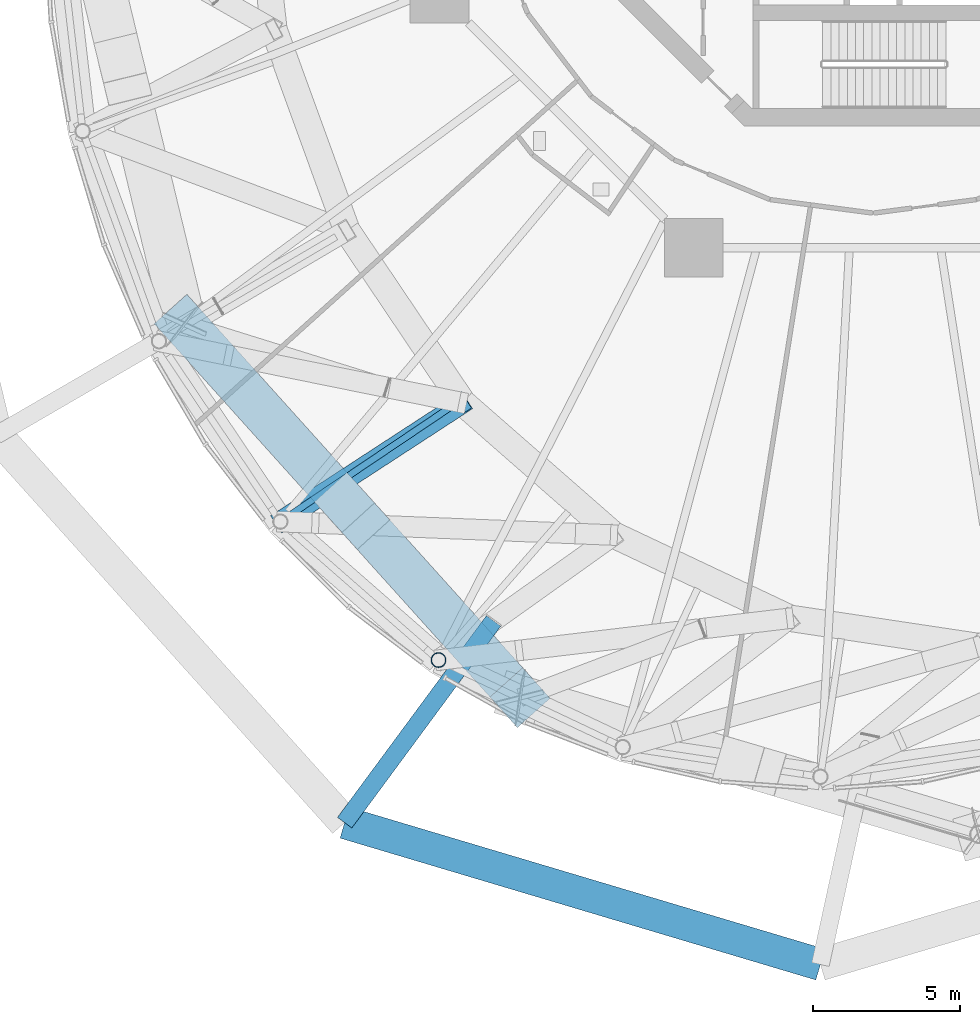
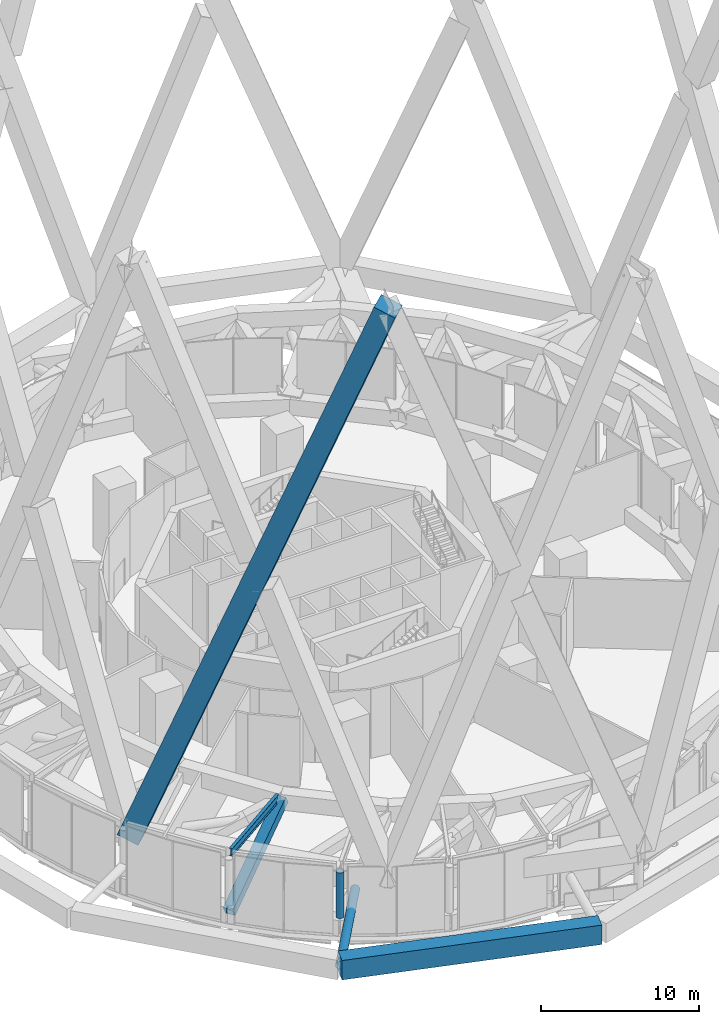
# One storey, part 3 of 49: 4 members, 2 beams.
"""IFC4 building model written with IfcOpenShell, lengths in metres."""

import ifcopenshell
import ifcopenshell.guid

model = None  # the IFC model being written
_history = None  # IfcOwnerHistory: only IFC2X3 demands one
_inside = {}  # id of a spatial element -> (the spatial element, [elements in it])
_under = {}  # id of a project, library or spatial element -> (it, [spatial elements below it])
_declared = {}  # id of a project -> (the project, [libraries it declares])
_typed = {}  # id of a type object -> (the type object, [elements of that type])
_made_of = {}  # id of a material, layer set ... -> (it, [elements and type objects made of it])


def new_model(schema):
    """Start an empty IFC model of exactly this schema.

    Asked for "IFC4X3", IfcOpenShell would pick the latest addendum, in which some entities
    have other attributes; the version numbers below select the first issue.
    IFC2X3 requires an IfcOwnerHistory on every rooted entity: one is made here for all.
    """
    global model, _history
    if schema == "IFC4X3":
        model = ifcopenshell.file(schema_version=(4, 3, 0, 0))
    else:
        model = ifcopenshell.file(schema=schema)
    _inside.clear()
    _under.clear()
    _declared.clear()
    _typed.clear()
    _made_of.clear()
    _history = None
    if model.schema == "IFC2X3":
        org = make("IfcOrganization", Name="unknown")
        user = make(
            "IfcPersonAndOrganization",
            ThePerson=make("IfcPerson", FamilyName="unknown"),
            TheOrganization=org,
        )
        app = make(
            "IfcApplication",
            ApplicationDeveloper=org,
            Version="unknown",
            ApplicationFullName="unknown",
            ApplicationIdentifier="unknown",
        )
        _history = make(
            "IfcOwnerHistory",
            OwningUser=user,
            OwningApplication=app,
            ChangeAction="ADDED",
            CreationDate=0,
        )
    return model


def make(cls, **values):
    """One entity of the class cls with the attributes given. An attribute that is None is left unset."""
    return model.create_entity(
        cls, **{name: value for name, value in values.items() if value is not None}
    )


def rooted(cls, **values):
    """An entity with a GlobalId (a new one), such as an element, a storey or a relation."""
    return make(cls, GlobalId=ifcopenshell.guid.new(), OwnerHistory=_history, **values)


def si_unit(unit_type, name, prefix=None):
    """IfcSIUnit, for example si_unit("LENGTHUNIT", "METRE", prefix="MILLI")."""
    return make("IfcSIUnit", UnitType=unit_type, Prefix=prefix, Name=name)


def assignment(units):
    """IfcUnitAssignment: the units of a project."""
    return None if units is None else make("IfcUnitAssignment", Units=units)


def point(xyz):
    """IfcCartesianPoint."""
    return None if xyz is None else make("IfcCartesianPoint", Coordinates=xyz)


def direction(xyz):
    """IfcDirection."""
    return None if xyz is None else make("IfcDirection", DirectionRatios=xyz)


def frame(location, z_axis=None, x_axis=None):
    """IfcAxis2Placement3D, a coordinate frame: its origin and axes. An axis left out is left unset."""
    return make(
        "IfcAxis2Placement3D",
        Location=point(location),
        Axis=direction(z_axis),
        RefDirection=direction(x_axis),
    )


def frame_2d(location, x_axis=None):
    """IfcAxis2Placement2D, a coordinate frame in the plane: its origin and x axis."""
    return make(
        "IfcAxis2Placement2D", Location=point(location), RefDirection=direction(x_axis)
    )


def origin():
    """The frame at (0, 0, 0) with its axes left unset."""
    return frame((0.0, 0.0, 0.0))


def origin_2d():
    """The frame at (0, 0) in the plane with its x axis left unset."""
    return frame_2d((0.0, 0.0))


def place(relative_to, where):
    """IfcLocalPlacement: puts the frame where relative to a parent placement (None: the world)."""
    return make(
        "IfcLocalPlacement", PlacementRelTo=relative_to, RelativePlacement=where
    )


def context(
    kind, dimensions, precision=None, world=None, true_north=None, identifier=None
):
    """IfcGeometricRepresentationContext, for example the 3D "Model" context."""
    return make(
        "IfcGeometricRepresentationContext",
        ContextIdentifier=identifier,
        ContextType=kind,
        CoordinateSpaceDimension=dimensions,
        Precision=precision,
        WorldCoordinateSystem=world,
        TrueNorth=true_north,
    )


def subcontext(parent, identifier, kind, view, scale=None):
    """IfcGeometricRepresentationSubContext, for example "Body" below "Model"."""
    return make(
        "IfcGeometricRepresentationSubContext",
        ContextIdentifier=identifier,
        ContextType=kind,
        ParentContext=parent,
        TargetScale=scale,
        TargetView=view,
    )


def project(units=None, contexts=None):
    """IfcProject with its units and contexts."""
    return rooted(
        "IfcProject",
        Name="project",
        RepresentationContexts=contexts,
        UnitsInContext=assignment(units),
    )


def spatial(cls, under=None, at=None, **own):
    """A site, building, storey or space (cls), placed at a placement, below another one or the project."""
    s = rooted(cls, ObjectPlacement=at, **own)
    if under is not None:
        _under.setdefault(under.id(), (under, []))[1].append(s)
    return s


def profile(cls, at=None, kind="AREA", **sizes):
    """A parametric profile (cls). Its sizes go by their IFC names, for example OverallWidth=200.0."""
    return make(cls, ProfileType=kind, Position=at, **sizes)


def rectangle(**sizes):
    """IfcRectangleProfileDef."""
    return profile("IfcRectangleProfileDef", **sizes)


def hollow_rectangle(**sizes):
    """IfcRectangleHollowProfileDef."""
    return profile("IfcRectangleHollowProfileDef", **sizes)


def hollow_circle(**sizes):
    """IfcCircleHollowProfileDef."""
    return profile("IfcCircleHollowProfileDef", **sizes)


def i_section(**sizes):
    """IfcIShapeProfileDef."""
    return profile("IfcIShapeProfileDef", **sizes)


def extrude(swept, where, along, depth):
    """IfcExtrudedAreaSolid: the profile swept, set in the frame where, extruded along a direction by depth."""
    return make(
        "IfcExtrudedAreaSolid",
        SweptArea=swept,
        Position=where,
        ExtrudedDirection=direction(along),
        Depth=depth,
    )


def shape(context_of_items, identifier, shape_type, items):
    """IfcShapeRepresentation: the items that make up one representation, for example the "Body"."""
    return make(
        "IfcShapeRepresentation",
        ContextOfItems=context_of_items,
        RepresentationIdentifier=identifier,
        RepresentationType=shape_type,
        Items=items,
    )


def material(Name=None, Category=None):
    """IfcMaterial."""
    return make("IfcMaterial", Name=Name, Category=Category)


def material_profile(
    of_material, cross_section, Name=None, Category=None, Priority=None
):
    """IfcMaterialProfile: a cross section and its material."""
    return make(
        "IfcMaterialProfile",
        Name=Name,
        Material=of_material,
        Profile=cross_section,
        Priority=Priority,
        Category=Category,
    )


def profile_set(profiles, Name=None, composite=None):
    """IfcMaterialProfileSet."""
    return make(
        "IfcMaterialProfileSet",
        Name=Name,
        MaterialProfiles=profiles,
        CompositeProfile=composite,
    )


def made_of(thing, what):
    """Note that an element or type object is made of a material, layer set ...; save() writes the relation."""
    if what is not None:
        _made_of.setdefault(what.id(), (what, []))[1].append(thing)
    return thing


def type_object(cls, material=None, **own):
    """A type object (cls), such as IfcWallType, which elements share."""
    return made_of(rooted(cls, **own), material)


def element(
    cls,
    number,
    at=None,
    inside=None,
    cuts=None,
    type_object=None,
    material=None,
    context=None,
    identifier="Body",
    shape_type=None,
    held_by="IfcProductDefinitionShape",
    body=None,
    shapes=None,
    **own,
):
    """One element of the class cls, such as IfcWall. Its Tag is "e" and its number.

    at: its placement. inside: the storey or other place that contains it. cuts: it is an
    opening in that element (IfcRelVoidsElement). A single representation is given by context,
    identifier, shape_type and body (its items); several are given by shapes. held_by: the class
    of the entity that holds the representations. save() writes the other relations.
    """
    e = rooted(cls, Tag="e%d" % number, ObjectPlacement=at, **own)
    if body is not None:
        shapes = [shape(context, identifier, shape_type, body)]
    if shapes is not None:
        e.Representation = make(held_by, Representations=shapes)
    if inside is not None:
        _inside.setdefault(inside.id(), (inside, []))[1].append(e)
    if cuts is not None:
        rooted(
            "IfcRelVoidsElement", RelatingBuildingElement=cuts, RelatedOpeningElement=e
        )
    if type_object is not None:
        _typed.setdefault(type_object.id(), (type_object, []))[1].append(e)
    return made_of(e, material)


def aggregate(whole, parts):
    """IfcRelAggregates: a whole, such as a stair, and the parts it consists of."""
    return rooted("IfcRelAggregates", RelatingObject=whole, RelatedObjects=parts)


def save(model, path):
    """Write the relations noted so far, then the file.

    IfcRelAggregates (storeys below a building ...), IfcRelContainedInSpatialStructure (elements
    in a storey), IfcRelDefinesByType, IfcRelAssociatesMaterial and IfcRelDeclares: one each for
    every whole, place, type object, material and project.
    """
    for whole, parts in _under.values():
        aggregate(whole, parts)
    for where, things in _inside.values():
        rooted(
            "IfcRelContainedInSpatialStructure",
            RelatedElements=things,
            RelatingStructure=where,
        )
    for kind, things in _typed.values():
        rooted("IfcRelDefinesByType", RelatedObjects=things, RelatingType=kind)
    for what, things in _made_of.values():
        rooted("IfcRelAssociatesMaterial", RelatedObjects=things, RelatingMaterial=what)
    for by, libraries in _declared.values():
        rooted("IfcRelDeclares", RelatingContext=by, RelatedDefinitions=libraries)
    model.write(path)


model = new_model("IFC4")

# Units and contexts
model_context = context("Model", 3, precision=1e-05, world=origin(), true_north=direction((0.0, 1.0)))
body_context = subcontext(model_context, "Body", "Model", "MODEL_VIEW")
ifc_project = project(units=[si_unit("LENGTHUNIT", "METRE"), si_unit("AREAUNIT", "SQUARE_METRE"), si_unit("VOLUMEUNIT", "CUBIC_METRE"), si_unit("PLANEANGLEUNIT", "RADIAN"), si_unit("MASSUNIT", "GRAM", prefix="KILO")], contexts=[model_context])

# Site, building, storey
site_placement = place(None, origin())
site = spatial("IfcSite", under=ifc_project, at=site_placement, CompositionType="ELEMENT")
building_placement = place(site_placement, origin())
building = spatial("IfcBuilding", under=site, at=building_placement, Name="Nagisa Residences", CompositionType="ELEMENT")
storey_placement = place(building_placement, frame((0.0, 0.0, 160.300048828125)))
storey = spatial("IfcBuildingStorey", under=building, at=storey_placement, Name="L40", CompositionType="ELEMENT", Elevation=160.300048828125)

# Beam
ifc_material_1 = material(Name="Steel ASTM A572 Gr 50", Category="steel")
ifc_material_profile_1 = material_profile(ifc_material_1, hollow_rectangle(XDim=0.699951171875, YDim=0.699951171875, WallThickness=0.0400390625, at=origin_2d()), Name="BX 700x700x40")
ifc_profile_set_1 = profile_set([ifc_material_profile_1], Name="Steel ASTM A572 Gr 50")
beam_type_1 = type_object("IfcBeamType", Name="Belt diagonal 3 BX 700x700x40", PredefinedType="BEAM", material=ifc_profile_set_1)
beam_1_placement = place(storey_placement, frame((-20.20947265625, -24.115234375, 0.599853515625), z_axis=(0.731827402161, 0.47661559322, 0.487099814972), x_axis=(-0.545734939199, 0.837957860598, 0.0)))
element("IfcBeam", 1, at=beam_1_placement, inside=storey, type_object=beam_type_1, Name="beam:L40:bt3da16", PredefinedType="BEAM", context=body_context, shape_type="SweptSolid", body=[
    extrude(hollow_rectangle(XDim=0.699951171875, YDim=0.699951171875, WallThickness=0.0400390625, at=origin_2d()), origin(), (0.0, 0.0, 1.0), 8.49951171875),
])

# Members
ifc_material_2 = material(Name="Concrete C80", Category="concrete")
ifc_material_profile_2 = material_profile(ifc_material_2, rectangle(XDim=1.5, YDim=1.5, at=origin_2d()), Name="C80 1500x1500")
ifc_profile_set_2 = profile_set([ifc_material_profile_2], Name="Concrete C80")
member_type_1 = type_object("IfcMemberType", Name="Cage diagonal 4 C80 1500x1500", PredefinedType="BRACE", material=ifc_profile_set_2)
member_1_placement = place(storey_placement, frame((-23.48486328125, -17.387451171875, 3.699951171875), z_axis=(0.240089356063, -0.266961667542, 0.933321257215), x_axis=(0.743538039547, 0.668693639679, 0.0)))
element("IfcMember", 2, at=member_1_placement, inside=storey, type_object=member_type_1, Name="mem:L40:cg4d015", PredefinedType="BRACE", context=body_context, shape_type="SweptSolid", body=[
    extrude(rectangle(XDim=1.5, YDim=1.5, at=origin_2d()), origin(), (0.0, 0.0, 1.0), 47.67919921875),
])
ifc_material_3 = material(Name="Concrete C80", Category="concrete")
ifc_material_profile_3 = material_profile(ifc_material_3, rectangle(XDim=1.10009765625, YDim=1.5, at=origin_2d()), Name="C80 1100x1500")
ifc_profile_set_3 = profile_set([ifc_material_profile_3], Name="Concrete C80")
member_type_2 = type_object("IfcMemberType", Name="Cage ring 3 C80 1100x1500", PredefinedType="CHORD", material=ifc_profile_set_3)
member_2_placement = place(storey_placement, frame((-18.017578125, -34.376953125, 1.89990234375), z_axis=(0.958305781736, -0.285744691448, 0.0), x_axis=(0.285744691448, 0.958305781736, 0.0)))
element("IfcMember", 3, at=member_2_placement, inside=storey, type_object=member_type_2, Name="beam:L40:cg3r109", PredefinedType="CHORD", context=body_context, shape_type="SweptSolid", body=[
    extrude(rectangle(XDim=1.10009765625, YDim=1.5, at=origin_2d()), origin(), (0.0, 0.0, 1.0), 16.923095703125),
])
ifc_material_4 = material(Name="Steel ASTM A572 Gr 65", Category="steel")
ifc_material_profile_4 = material_profile(ifc_material_4, hollow_circle(Radius=0.304931640625, WallThickness=0.02490234375, at=origin_2d()), Name="CHS 610x25")
ifc_profile_set_4 = profile_set([ifc_material_profile_4], Name="Steel ASTM A572 Gr 65")
member_type_3 = type_object("IfcMemberType", Name="Cage strut CHS 610x25", PredefinedType="STRUT", material=ifc_profile_set_4)
member_3_placement = place(storey_placement, frame((-18.017578125, -34.376953125, 1.89990234375), z_axis=(0.593801692274, 0.804611428115, 0.0), x_axis=(-0.804611428115, 0.593801692274, 0.0)))
element("IfcMember", 4, at=member_3_placement, inside=storey, type_object=member_type_3, Name="mem:L40:bt3st3a09", PredefinedType="STRUT", context=body_context, shape_type="SweptSolid", body=[
    extrude(hollow_circle(Radius=0.304931640625, WallThickness=0.02490234375, at=origin_2d()), origin(), (0.0, 0.0, 1.0), 8.551513671875),
])
ifc_material_5 = material(Name="Steel ASTM A572 Gr 65", Category="steel")
ifc_material_profile_5 = material_profile(ifc_material_5, hollow_circle(Radius=0.25390625, WallThickness=0.02001953125, at=origin_2d()), Name="CHS 508x20")
ifc_profile_set_5 = profile_set([ifc_material_profile_5], Name="Steel ASTM A572 Gr 65")
member_type_4 = type_object("IfcMemberType", Name="Garden edge post CHS 508x20", PredefinedType="POST", material=ifc_profile_set_5)
member_4_placement = place(storey_placement, frame((-14.8173828125, -28.834228515625, 1.199951171875), z_axis=(0.0, 0.0, 1.0), x_axis=(1.0, 0.0, 0.0)))
element("IfcMember", 5, at=member_4_placement, inside=storey, type_object=member_type_4, Name="mem:L40:gp317", PredefinedType="POST", context=body_context, shape_type="SweptSolid", body=[
    extrude(hollow_circle(Radius=0.25390625, WallThickness=0.02001953125, at=origin_2d()), origin(), (0.0, 0.0, 1.0), 3.537109375),
])

# Beam
ifc_material_6 = material(Name="Steel ASTM A572 Gr 50", Category="steel")
ifc_material_profile_6 = material_profile(ifc_material_6, i_section(OverallWidth=0.22802734375, OverallDepth=0.60302734375, WebThickness=0.010498046875, FlangeThickness=0.014892578125, at=origin_2d()), Name="W610x101")
ifc_profile_set_6 = profile_set([ifc_material_profile_6], Name="Steel ASTM A572 Gr 50")
beam_type_2 = type_object("IfcBeamType", Name="Garden radial beam W610x101", PredefinedType="BEAM", material=ifc_profile_set_6)
beam_2_placement = place(storey_placement, frame((-20.015380859375, -23.984619140625, 5.038330078125), z_axis=(0.829736710867, 0.55815498801, 0.0), x_axis=(-0.55815498801, 0.829736710867, 0.0)))
element("IfcBeam", 6, at=beam_2_placement, inside=storey, type_object=beam_type_2, Name="beam:L40:bt3gr16", PredefinedType="BEAM", context=body_context, shape_type="SweptSolid", body=[
    extrude(i_section(OverallWidth=0.22802734375, OverallDepth=0.60302734375, WebThickness=0.010498046875, FlangeThickness=0.014892578125, at=origin_2d()), origin(), (0.0, 0.0, 1.0), 6.75830078125),
])

save(model, "model.ifc")
